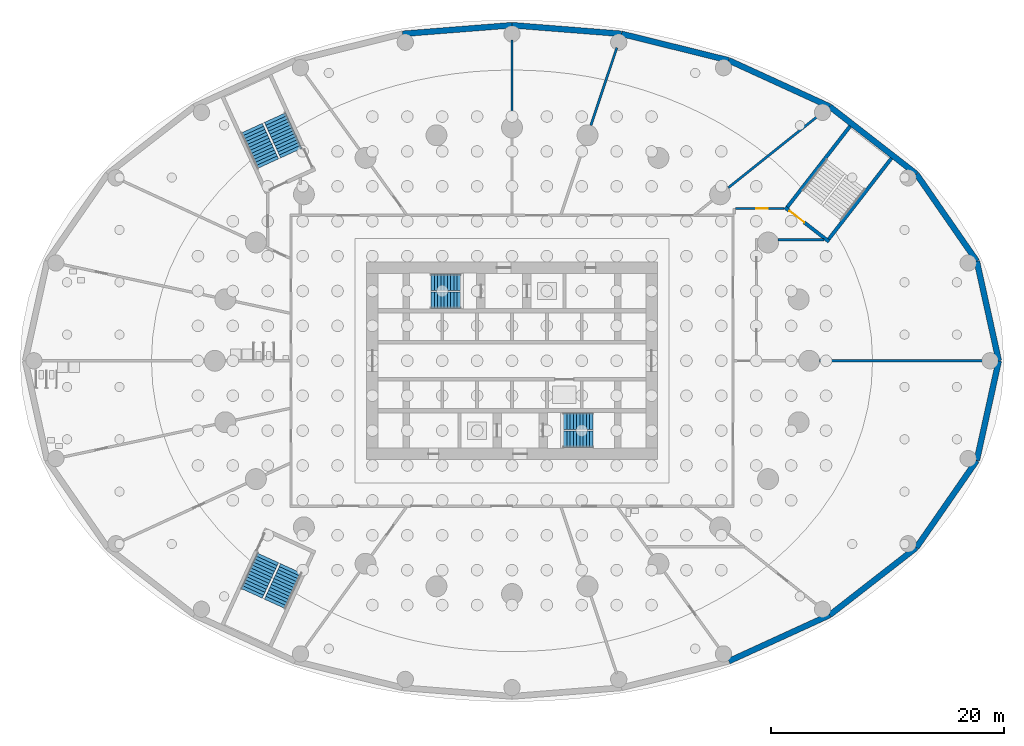
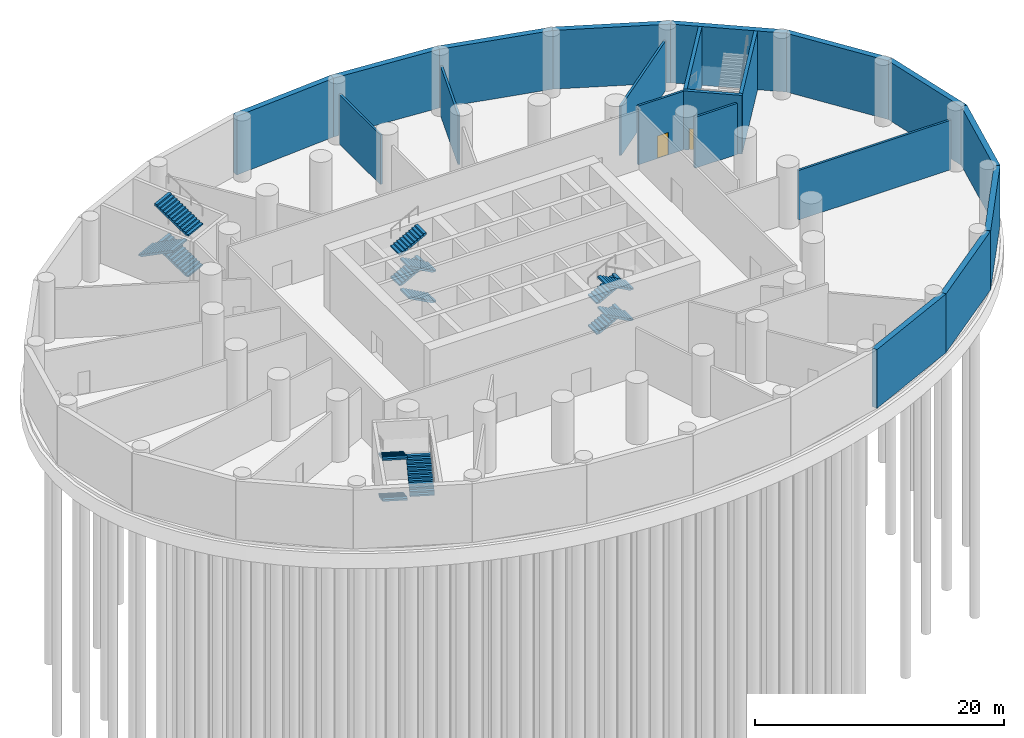
# One storey, part 7 of 12: 20 walls, 14 stair flights, 2 doors, 2 openings, 4 elements without a shape of their own.
"""IFC4 building model written with IfcOpenShell, lengths in metres."""

from ifc_helpers import new_model, si_unit, direction, frame, frame_2d, origin, place, context, subcontext, project, spatial, polyline, rectangle, outline, extrude, material, layer, layer_set, type_object, element, fill, aggregate, save


model = new_model("IFC4")

# Units and contexts
model_context = context("Model", 3, precision=1e-05, world=origin(), true_north=direction((0.0, 1.0)))
body_context = subcontext(model_context, "Body", "Model", "MODEL_VIEW")
ifc_project = project(units=[si_unit("LENGTHUNIT", "METRE"), si_unit("AREAUNIT", "SQUARE_METRE"), si_unit("VOLUMEUNIT", "CUBIC_METRE"), si_unit("PLANEANGLEUNIT", "RADIAN"), si_unit("MASSUNIT", "GRAM", prefix="KILO")], contexts=[model_context])

# Site, building, storey
site_placement = place(None, origin())
site = spatial("IfcSite", under=ifc_project, at=site_placement, CompositionType="ELEMENT")
building_placement = place(site_placement, origin())
building = spatial("IfcBuilding", under=site, at=building_placement, Name="Hankou Lantern Tower", CompositionType="ELEMENT")
storey_placement = place(building_placement, frame((0.0, 0.0, -6.0)))
storey = spatial("IfcBuildingStorey", under=building, at=storey_placement, Name="B1", CompositionType="ELEMENT", Elevation=-6.0)

# Walls
ifc_material_1 = material(Name="Concrete C50", Category="concrete")
ifc_layer_1 = layer(ifc_material_1, 0.300048828125)
ifc_layer_set_1 = layer_set([ifc_layer_1], Name="Concrete C50")
wall_type_1 = type_object("IfcWallType", Name="CW7 PODIUM STAIR WALL 300", PredefinedType="SHEAR", material=ifc_layer_set_1)
wall_1_placement = place(storey_placement, frame((27.22705078125, 10.45556640625, 0.0), z_axis=(0.0, 0.0, 1.0), x_axis=(0.612955943248, 0.790117087296, 0.0)))
element("IfcWall", 1, at=wall_1_placement, inside=storey, type_object=wall_type_1, Name="Basement stair BS1 wall", PredefinedType="SHEAR", context=body_context, shape_type="SweptSolid", body=[
    extrude(rectangle(XDim=8.81005859375, YDim=0.300048828125, at=frame_2d((4.405029296875, 0.0))), origin(), (0.0, 0.0, 1.0), 5.75),
])
wall_2_placement = place(storey_placement, frame((29.071533203125, 20.1748046875, 0.0), z_axis=(0.0, 0.0, 1.0), x_axis=(-0.612938642784, -0.790130508322, 0.0)))
element("IfcWall", 2, at=wall_2_placement, inside=storey, type_object=wall_type_1, Name="Basement stair BS1 wall", PredefinedType="SHEAR", context=body_context, shape_type="SweptSolid", body=[
    extrude(rectangle(XDim=8.809814453125, YDim=0.300048828125, at=frame_2d((4.40478515625, 0.0))), origin(), (0.0, 0.0, 1.0), 5.75),
])

# Wall, opening, door
wall_3_placement = place(storey_placement, frame((23.461181640625, 13.187255859375, 0.0), z_axis=(0.0, 0.0, 1.0), x_axis=(0.790115734311, -0.612957687279, 0.0)))
wall_3 = element("IfcWall", 3, at=wall_3_placement, inside=storey, type_object=wall_type_1, Name="Basement stair BS1 wall", PredefinedType="SHEAR", context=body_context, shape_type="SweptSolid", body=[
    extrude(rectangle(XDim=4.7998046875, YDim=0.300048828125, at=frame_2d((2.39990234375, 0.0))), origin(), (0.0, 0.0, 1.0), 5.75),
])
opening_1_placement = place(wall_3_placement, frame((0.5, 0.0, 0.0)))
opening_1 = element("IfcOpeningElement", 4, at=opening_1_placement, cuts=wall_3, Name="Opening D16", PredefinedType="OPENING", context=body_context, shape_type="SweptSolid", body=[
    extrude(rectangle(XDim=1.60009765625, YDim=2.10009765625, at=frame_2d((0.800048828125, 1.050048828125))), frame((0.0, 0.159912109375, 0.0), z_axis=(0.0, -1.0, 0.0), x_axis=(1.0, 0.0, 0.0)), (0.0, 0.0, 1.0), 0.320068359375),
])
ifc_material_2 = material(Name="Steel door leaf", Category="steel")
door_type_1 = type_object("IfcDoorType", Name="D16 PODIUM STAIR DOOR 1600X2100", OperationType="SINGLE_SWING_LEFT", PredefinedType="DOOR", material=ifc_material_2)
door_1_placement = place(opening_1_placement, origin())
door_1 = element("IfcDoor", 5, at=door_1_placement, inside=storey, type_object=door_type_1, Name="Basement stair BS1 door", OperationType="SINGLE_SWING_LEFT", OverallHeight=2.10009765625, OverallWidth=1.60009765625, PredefinedType="DOOR", context=body_context, shape_type="SweptSolid", body=[
    extrude(rectangle(XDim=1.60009765625, YDim=2.10009765625, at=frame_2d((0.800048828125, 1.050048828125))), frame((0.0, 0.02490234375, 0.0), z_axis=(0.0, -1.0, 0.0), x_axis=(1.0, 0.0, 0.0)), (0.0, 0.0, 1.0), 0.050048828125),
])
fill(opening_1, door_1)

# Walls
ifc_material_3 = material(Name="Masonry dense concrete block", Category="masonry")
ifc_layer_2 = layer(ifc_material_3, 0.199951171875)
ifc_layer_set_2 = layer_set([ifc_layer_2], Name="Masonry dense concrete block")
wall_type_2 = type_object("IfcWallType", Name="FW1 COMPARTMENT FIRE WALL 200", PredefinedType="PARTITIONING", material=ifc_layer_set_2)
wall_4_placement = place(storey_placement, frame((18.594482421875, 14.87548828125, 0.0), z_axis=(0.0, 0.0, 1.0), x_axis=(0.780868809443, 0.624695047554, 0.0)))
element("IfcWall", 6, at=wall_4_placement, inside=storey, type_object=wall_type_2, Name="Fire wall R04", PredefinedType="PARTITIONING", context=body_context, shape_type="SweptSolid", body=[
    extrude(rectangle(XDim=9.883056640625, YDim=0.199951171875, at=frame_2d((4.94140625, 0.0))), origin(), (0.0, 0.0, 1.0), 4.85009765625),
])
ifc_material_4 = material(Name="Masonry dense concrete block", Category="masonry")
ifc_layer_3 = layer(ifc_material_4, 0.199951171875)
ifc_layer_set_3 = layer_set([ifc_layer_3], Name="Masonry dense concrete block")
wall_type_3 = type_object("IfcWallType", Name="IW9 2 H FIRE PARTITION 200", PredefinedType="PARTITIONING", material=ifc_layer_set_3)
wall_5_placement = place(storey_placement, frame((26.449951171875, 0.0, 0.0), z_axis=(0.0, 0.0, 1.0), x_axis=(1.0, 0.0, 0.0)))
element("IfcWall", 7, at=wall_5_placement, inside=storey, type_object=wall_type_3, Name="Partition R01", PredefinedType="PARTITIONING", context=body_context, shape_type="SweptSolid", body=[
    extrude(rectangle(XDim=14.150146484375, YDim=0.199951171875, at=frame_2d((7.0751953125, 0.0))), origin(), (0.0, 0.0, 1.0), 4.85009765625),
])
wall_6_placement = place(storey_placement, frame((6.78076171875, 20.244873046875, 0.0), z_axis=(0.0, 0.0, 1.0), x_axis=(0.317580622989, 0.948231273425, 0.0)))
element("IfcWall", 8, at=wall_6_placement, inside=storey, type_object=wall_type_3, Name="Partition R06", PredefinedType="PARTITIONING", context=body_context, shape_type="SweptSolid", body=[
    extrude(rectangle(XDim=7.036376953125, YDim=0.199951171875, at=frame_2d((3.51806640625, 0.0))), origin(), (0.0, 0.0, 1.0), 4.85009765625),
])
wall_7_placement = place(storey_placement, frame((0.0, 20.949951171875, 0.0), z_axis=(0.0, 0.0, 1.0), x_axis=(0.0, 1.0, 0.0)))
element("IfcWall", 9, at=wall_7_placement, inside=storey, type_object=wall_type_3, Name="Partition R07", PredefinedType="PARTITIONING", context=body_context, shape_type="SweptSolid", body=[
    extrude(rectangle(XDim=6.650146484375, YDim=0.199951171875, at=frame_2d((3.3251953125, 0.0))), origin(), (0.0, 0.0, 1.0), 4.85009765625),
])
wall_8_placement = place(storey_placement, frame((22.88916015625, 10.39990234375, 0.0), z_axis=(0.0, 0.0, 1.0), x_axis=(1.0, 0.0, 0.0)))
element("IfcWall", 10, at=wall_8_placement, inside=storey, type_object=wall_type_3, Name="Access strip BS1 wall", PredefinedType="PARTITIONING", context=body_context, shape_type="SweptSolid", body=[
    extrude(rectangle(XDim=3.920166015625, YDim=0.199951171875, at=frame_2d((1.9599609375, 0.0))), origin(), (0.0, 0.0, 1.0), 5.0),
])

# Wall, opening, door
wall_9_placement = place(storey_placement, frame((23.3935546875, 13.10009765625, 0.0), z_axis=(0.0, 0.0, 1.0), x_axis=(-1.0, 0.0, 0.0)))
wall_9 = element("IfcWall", 11, at=wall_9_placement, inside=storey, type_object=wall_type_3, Name="Access strip BS1 wall", PredefinedType="PARTITIONING", context=body_context, shape_type="SweptSolid", body=[
    extrude(rectangle(XDim=4.193603515625, YDim=0.199951171875, at=frame_2d((2.0966796875, 0.0))), origin(), (0.0, 0.0, 1.0), 5.75),
])
opening_2_placement = place(wall_9_placement, frame((1.3935546875, 0.0, 0.0)))
opening_2 = element("IfcOpeningElement", 12, at=opening_2_placement, cuts=wall_9, Name="Opening D40", PredefinedType="OPENING", context=body_context, shape_type="SweptSolid", body=[
    extrude(rectangle(XDim=1.0, YDim=2.199951171875, at=frame_2d((0.5, 1.10009765625))), frame((0.0, 0.10986328125, 0.0), z_axis=(0.0, -1.0, 0.0), x_axis=(1.0, 0.0, 0.0)), (0.0, 0.0, 1.0), 0.219970703125),
])
ifc_material_5 = material(Name="Steel door leaf", Category="steel")
door_type_2 = type_object("IfcDoorType", Name="D40 CLASS A ROOM DOOR 1000X2200", OperationType="SINGLE_SWING_LEFT", PredefinedType="DOOR", material=ifc_material_5)
door_2_placement = place(opening_2_placement, origin())
door_2 = element("IfcDoor", 13, at=door_2_placement, inside=storey, type_object=door_type_2, Name="Chiller plant room north cell door", OperationType="SINGLE_SWING_RIGHT", OverallHeight=2.199951171875, OverallWidth=1.0, PredefinedType="DOOR", context=body_context, shape_type="SweptSolid", body=[
    extrude(rectangle(XDim=1.0, YDim=2.199951171875, at=frame_2d((0.5, 1.10009765625))), frame((0.0, 0.02490234375, 0.0), z_axis=(0.0, -1.0, 0.0), x_axis=(1.0, 0.0, 0.0)), (0.0, 0.0, 1.0), 0.050048828125),
])
fill(opening_2, door_2)

# Walls
ifc_material_6 = material(Name="Concrete C40", Category="concrete")
ifc_layer_4 = layer(ifc_material_6, 0.5)
ifc_layer_set_4 = layer_set([ifc_layer_4], Name="Concrete C40")
wall_type_4 = type_object("IfcWallType", Name="RW1 BASEMENT RETAINING WALL 500", PredefinedType="SOLIDWALL", material=ifc_layer_set_4)
wall_10_placement = place(storey_placement, frame((41.85009765625, 0.0, 0.0), z_axis=(0.0, 0.0, 1.0), x_axis=(-0.215170782675, 0.976576435454, 0.0)))
element("IfcWall", 14, at=wall_10_placement, inside=storey, type_object=wall_type_4, Name="Basement retaining wall R01", PredefinedType="SOLIDWALL", context=body_context, shape_type="SweptSolid", body=[
    extrude(rectangle(XDim=8.77197265625, YDim=0.5, at=frame_2d((4.385986328125, 0.0))), origin(), (0.0, 0.0, 1.0), 5.75),
])
wall_11_placement = place(storey_placement, frame((39.962646484375, 8.56640625, 0.0), z_axis=(0.0, 0.0, 1.0), x_axis=(-0.569815549616, 0.821772620264, 0.0)))
element("IfcWall", 15, at=wall_11_placement, inside=storey, type_object=wall_type_4, Name="Basement retaining wall R02", PredefinedType="SOLIDWALL", context=body_context, shape_type="SweptSolid", body=[
    extrude(rectangle(XDim=9.1171875, YDim=0.5, at=frame_2d((4.55859375, 0.0))), origin(), (0.0, 0.0, 1.0), 5.75),
])
wall_12_placement = place(storey_placement, frame((34.767578125, 16.05859375, 0.0), z_axis=(0.0, 0.0, 1.0), x_axis=(-0.789189230142, 0.614150111152, 0.0)))
element("IfcWall", 16, at=wall_12_placement, inside=storey, type_object=wall_type_4, Name="Basement retaining wall R03", PredefinedType="SOLIDWALL", context=body_context, shape_type="SweptSolid", body=[
    extrude(rectangle(XDim=9.4384765625, YDim=0.5, at=frame_2d((4.71923828125, 0.0))), origin(), (0.0, 0.0, 1.0), 5.75),
])
wall_13_placement = place(storey_placement, frame((27.31884765625, 21.855224609375, 0.0), z_axis=(0.0, 0.0, 1.0), x_axis=(-0.909171365198, 0.416422176047, 0.0)))
element("IfcWall", 17, at=wall_13_placement, inside=storey, type_object=wall_type_4, Name="Basement retaining wall R04", PredefinedType="SOLIDWALL", context=body_context, shape_type="SweptSolid", body=[
    extrude(rectangle(XDim=9.544677734375, YDim=0.5, at=frame_2d((4.7724609375, 0.0))), origin(), (0.0, 0.0, 1.0), 5.75),
])
wall_14_placement = place(storey_placement, frame((18.64111328125, 25.829833984375, 0.0), z_axis=(0.0, 0.0, 1.0), x_axis=(-0.97078133687, 0.239965822533, 0.0)))
element("IfcWall", 18, at=wall_14_placement, inside=storey, type_object=wall_type_4, Name="Basement retaining wall R05", PredefinedType="SOLIDWALL", context=body_context, shape_type="SweptSolid", body=[
    extrude(rectangle(XDim=9.50341796875, YDim=0.5, at=frame_2d((4.751708984375, 0.0))), origin(), (0.0, 0.0, 1.0), 5.75),
])
for number, where, z_axis, x_axis, name in (
    (19, (9.415283203125, 28.1103515625, 0.0), (0.0, 0.0, 1.0), (-0.996927700353, 0.078327263894, 0.0), "Basement retaining wall R06"),
    (20, (0.0, 28.85009765625, 0.0), (0.0, 0.0, 1.0), (-0.996927700353, -0.078327263894, 0.0), "Basement retaining wall R07"),
):
    element("IfcWall", number, at=place(storey_placement, frame(where, z_axis=z_axis, x_axis=x_axis)), inside=storey, type_object=wall_type_4, Name=name, PredefinedType="SOLIDWALL", context=body_context, shape_type="SweptSolid", body=[
        extrude(rectangle(XDim=9.4443359375, YDim=0.5, at=frame_2d((4.72216796875, 0.0))), origin(), (0.0, 0.0, 1.0), 5.75),
    ])
wall_15_placement = place(storey_placement, frame((18.64111328125, -25.829833984375, 0.0), z_axis=(0.0, 0.0, 1.0), x_axis=(0.909171365198, 0.416422176047, 0.0)))
element("IfcWall", 21, at=wall_15_placement, inside=storey, type_object=wall_type_4, Name="Basement retaining wall R21", PredefinedType="SOLIDWALL", context=body_context, shape_type="SweptSolid", body=[
    extrude(rectangle(XDim=9.544677734375, YDim=0.5, at=frame_2d((4.7724609375, 0.0))), origin(), (0.0, 0.0, 1.0), 5.75),
])
wall_16_placement = place(storey_placement, frame((27.31884765625, -21.855224609375, 0.0), z_axis=(0.0, 0.0, 1.0), x_axis=(0.789189230142, 0.614150111152, 0.0)))
element("IfcWall", 22, at=wall_16_placement, inside=storey, type_object=wall_type_4, Name="Basement retaining wall R22", PredefinedType="SOLIDWALL", context=body_context, shape_type="SweptSolid", body=[
    extrude(rectangle(XDim=9.4384765625, YDim=0.5, at=frame_2d((4.71923828125, 0.0))), origin(), (0.0, 0.0, 1.0), 5.75),
])
wall_17_placement = place(storey_placement, frame((34.767578125, -16.05859375, 0.0), z_axis=(0.0, 0.0, 1.0), x_axis=(0.569815549616, 0.821772620264, 0.0)))
element("IfcWall", 23, at=wall_17_placement, inside=storey, type_object=wall_type_4, Name="Basement retaining wall R23", PredefinedType="SOLIDWALL", context=body_context, shape_type="SweptSolid", body=[
    extrude(rectangle(XDim=9.1171875, YDim=0.5, at=frame_2d((4.55859375, 0.0))), origin(), (0.0, 0.0, 1.0), 5.75),
])
wall_18_placement = place(storey_placement, frame((39.962646484375, -8.56640625, 0.0), z_axis=(0.0, 0.0, 1.0), x_axis=(0.215170782675, 0.976576435454, 0.0)))
element("IfcWall", 24, at=wall_18_placement, inside=storey, type_object=wall_type_4, Name="Basement retaining wall R24", PredefinedType="SOLIDWALL", context=body_context, shape_type="SweptSolid", body=[
    extrude(rectangle(XDim=8.77197265625, YDim=0.5, at=frame_2d((4.385986328125, 0.0))), origin(), (0.0, 0.0, 1.0), 5.75),
])

# Stair, stair flights
ifc_material_7 = material(Name="Concrete C40", Category="concrete")
stair_type_1 = type_object("IfcStairType", Name="ST60 CORE STAIR 6000 RISE", PredefinedType="HALF_TURN_STAIR", material=ifc_material_7)
stair_1_placement = place(storey_placement, origin())
stair_1 = element("IfcStair", 25, at=stair_1_placement, inside=storey, type_object=stair_type_1, Name="Stair STA B1", PredefinedType="HALF_TURN_STAIR")
ifc_material_8 = material(Name="Concrete C40", Category="concrete")
stair_flight_type_1 = type_object("IfcStairFlightType", Name="CF10 CORE STAIR FLIGHT 1400 X 10 RISERS", PredefinedType="STRAIGHT", material=ifc_material_8)
stair_flight_1_placement = place(storey_placement, frame((-4.429931640625, 5.199951171875, 0.0), z_axis=(0.0, 0.0, 1.0), x_axis=(-1.0, 0.0, 0.0)))
stair_flight_1 = element("IfcStairFlight", 26, at=stair_flight_1_placement, type_object=stair_flight_type_1, Name="STA flight 1", NumberOfRisers=10, NumberOfTreads=9, PredefinedType="STRAIGHT", RiserHeight=0.15, TreadLength=0.28, context=body_context, shape_type="SweptSolid", body=[
    extrude(outline(polyline([(0.0, 0.0), (0.0, 0.14990234375), (0.280029296875, 0.14990234375), (0.280029296875, 0.300048828125), (0.56005859375, 0.300048828125), (0.56005859375, 0.449951171875), (0.840087890625, 0.449951171875), (0.840087890625, 0.60009765625), (1.1201171875, 0.60009765625), (1.1201171875, 0.75), (1.39990234375, 0.75), (1.39990234375, 0.89990234375), (1.679931640625, 0.89990234375), (1.679931640625, 1.050048828125), (1.9599609375, 1.050048828125), (1.9599609375, 1.199951171875), (2.239990234375, 1.199951171875), (2.239990234375, 1.35009765625), (2.52001953125, 1.35009765625), (2.52001953125, 1.5), (2.52001953125, 1.179931640625), (0.3173828125, 0.0), (0.0, 0.0)])), frame((0.0, 0.699951171875, 0.0), z_axis=(0.0, -1.0, 0.0), x_axis=(1.0, 0.0, 0.0)), (0.0, 0.0, 1.0), 1.39990234375),
])
stair_flight_2_placement = place(storey_placement, frame((-6.949951171875, 6.75, 1.5), z_axis=(0.0, 0.0, 1.0), x_axis=(1.0, 0.0, 0.0)))
stair_flight_2 = element("IfcStairFlight", 27, at=stair_flight_2_placement, type_object=stair_flight_type_1, Name="STA flight 2", NumberOfRisers=10, NumberOfTreads=9, PredefinedType="STRAIGHT", RiserHeight=0.15, TreadLength=0.28, context=body_context, shape_type="SweptSolid", body=[
    extrude(outline(polyline([(0.0, 0.0), (0.0, 0.14990234375), (0.280029296875, 0.14990234375), (0.280029296875, 0.300048828125), (0.56005859375, 0.300048828125), (0.56005859375, 0.449951171875), (0.840087890625, 0.449951171875), (0.840087890625, 0.60009765625), (1.1201171875, 0.60009765625), (1.1201171875, 0.75), (1.39990234375, 0.75), (1.39990234375, 0.89990234375), (1.679931640625, 0.89990234375), (1.679931640625, 1.050048828125), (1.9599609375, 1.050048828125), (1.9599609375, 1.199951171875), (2.239990234375, 1.199951171875), (2.239990234375, 1.35009765625), (2.52001953125, 1.35009765625), (2.52001953125, 1.5), (2.52001953125, 1.179931640625), (0.3173828125, 0.0), (0.0, 0.0)])), frame((0.0, 0.699951171875, 0.0), z_axis=(0.0, -1.0, 0.0), x_axis=(1.0, 0.0, 0.0)), (0.0, 0.0, 1.0), 1.39990234375),
])
stair_flight_3_placement = place(storey_placement, frame((-4.429931640625, 5.199951171875, 3.0), z_axis=(0.0, 0.0, 1.0), x_axis=(-1.0, 0.0, 0.0)))
stair_flight_3 = element("IfcStairFlight", 28, at=stair_flight_3_placement, type_object=stair_flight_type_1, Name="STA flight 3", NumberOfRisers=10, NumberOfTreads=9, PredefinedType="STRAIGHT", RiserHeight=0.15, TreadLength=0.28, context=body_context, shape_type="SweptSolid", body=[
    extrude(outline(polyline([(0.0, 0.0), (0.0, 0.14990234375), (0.280029296875, 0.14990234375), (0.280029296875, 0.300048828125), (0.56005859375, 0.300048828125), (0.56005859375, 0.449951171875), (0.840087890625, 0.449951171875), (0.840087890625, 0.60009765625), (1.1201171875, 0.60009765625), (1.1201171875, 0.75), (1.39990234375, 0.75), (1.39990234375, 0.89990234375), (1.679931640625, 0.89990234375), (1.679931640625, 1.050048828125), (1.9599609375, 1.050048828125), (1.9599609375, 1.199951171875), (2.239990234375, 1.199951171875), (2.239990234375, 1.35009765625), (2.52001953125, 1.35009765625), (2.52001953125, 1.5), (2.52001953125, 1.179931640625), (0.3173828125, 0.0), (0.0, 0.0)])), frame((0.0, 0.699951171875, 0.0), z_axis=(0.0, -1.0, 0.0), x_axis=(1.0, 0.0, 0.0)), (0.0, 0.0, 1.0), 1.39990234375),
])
stair_flight_4_placement = place(storey_placement, frame((-6.949951171875, 6.75, 4.5), z_axis=(0.0, 0.0, 1.0), x_axis=(1.0, 0.0, 0.0)))
stair_flight_4 = element("IfcStairFlight", 29, at=stair_flight_4_placement, type_object=stair_flight_type_1, Name="STA flight 4", NumberOfRisers=10, NumberOfTreads=9, PredefinedType="STRAIGHT", RiserHeight=0.15, TreadLength=0.28, context=body_context, shape_type="SweptSolid", body=[
    extrude(outline(polyline([(0.0, 0.0), (0.0, 0.14990234375), (0.280029296875, 0.14990234375), (0.280029296875, 0.300048828125), (0.56005859375, 0.300048828125), (0.56005859375, 0.449951171875), (0.840087890625, 0.449951171875), (0.840087890625, 0.60009765625), (1.1201171875, 0.60009765625), (1.1201171875, 0.75), (1.39990234375, 0.75), (1.39990234375, 0.89990234375), (1.679931640625, 0.89990234375), (1.679931640625, 1.050048828125), (1.9599609375, 1.050048828125), (1.9599609375, 1.199951171875), (2.239990234375, 1.199951171875), (2.239990234375, 1.35009765625), (2.52001953125, 1.35009765625), (2.52001953125, 1.5), (2.52001953125, 1.179931640625), (0.3173828125, 0.0), (0.0, 0.0)])), frame((0.0, 0.699951171875, 0.0), z_axis=(0.0, -1.0, 0.0), x_axis=(1.0, 0.0, 0.0)), (0.0, 0.0, 1.0), 1.39990234375),
])
aggregate(stair_1, [stair_flight_1, stair_flight_2, stair_flight_3, stair_flight_4])

stair_2_placement = place(storey_placement, origin())
stair_2 = element("IfcStair", 30, at=stair_2_placement, inside=storey, type_object=stair_type_1, Name="Stair STB B1", PredefinedType="HALF_TURN_STAIR")
stair_flight_5_placement = place(storey_placement, frame((4.429931640625, -5.199951171875, 0.0), z_axis=(0.0, 0.0, 1.0), x_axis=(1.0, 0.0, 0.0)))
stair_flight_5 = element("IfcStairFlight", 31, at=stair_flight_5_placement, type_object=stair_flight_type_1, Name="STB flight 1", NumberOfRisers=10, NumberOfTreads=9, PredefinedType="STRAIGHT", RiserHeight=0.15, TreadLength=0.28, context=body_context, shape_type="SweptSolid", body=[
    extrude(outline(polyline([(0.0, 0.0), (0.0, 0.14990234375), (0.280029296875, 0.14990234375), (0.280029296875, 0.300048828125), (0.56005859375, 0.300048828125), (0.56005859375, 0.449951171875), (0.840087890625, 0.449951171875), (0.840087890625, 0.60009765625), (1.1201171875, 0.60009765625), (1.1201171875, 0.75), (1.39990234375, 0.75), (1.39990234375, 0.89990234375), (1.679931640625, 0.89990234375), (1.679931640625, 1.050048828125), (1.9599609375, 1.050048828125), (1.9599609375, 1.199951171875), (2.239990234375, 1.199951171875), (2.239990234375, 1.35009765625), (2.52001953125, 1.35009765625), (2.52001953125, 1.5), (2.52001953125, 1.179931640625), (0.3173828125, 0.0), (0.0, 0.0)])), frame((0.0, 0.699951171875, 0.0), z_axis=(0.0, -1.0, 0.0), x_axis=(1.0, 0.0, 0.0)), (0.0, 0.0, 1.0), 1.39990234375),
])
stair_flight_6_placement = place(storey_placement, frame((6.949951171875, -6.75, 1.5), z_axis=(0.0, 0.0, 1.0), x_axis=(-1.0, 0.0, 0.0)))
stair_flight_6 = element("IfcStairFlight", 32, at=stair_flight_6_placement, type_object=stair_flight_type_1, Name="STB flight 2", NumberOfRisers=10, NumberOfTreads=9, PredefinedType="STRAIGHT", RiserHeight=0.15, TreadLength=0.28, context=body_context, shape_type="SweptSolid", body=[
    extrude(outline(polyline([(0.0, 0.0), (0.0, 0.14990234375), (0.280029296875, 0.14990234375), (0.280029296875, 0.300048828125), (0.56005859375, 0.300048828125), (0.56005859375, 0.449951171875), (0.840087890625, 0.449951171875), (0.840087890625, 0.60009765625), (1.1201171875, 0.60009765625), (1.1201171875, 0.75), (1.39990234375, 0.75), (1.39990234375, 0.89990234375), (1.679931640625, 0.89990234375), (1.679931640625, 1.050048828125), (1.9599609375, 1.050048828125), (1.9599609375, 1.199951171875), (2.239990234375, 1.199951171875), (2.239990234375, 1.35009765625), (2.52001953125, 1.35009765625), (2.52001953125, 1.5), (2.52001953125, 1.179931640625), (0.3173828125, 0.0), (0.0, 0.0)])), frame((0.0, 0.699951171875, 0.0), z_axis=(0.0, -1.0, 0.0), x_axis=(1.0, 0.0, 0.0)), (0.0, 0.0, 1.0), 1.39990234375),
])
stair_flight_7_placement = place(storey_placement, frame((4.429931640625, -5.199951171875, 3.0), z_axis=(0.0, 0.0, 1.0), x_axis=(1.0, 0.0, 0.0)))
stair_flight_7 = element("IfcStairFlight", 33, at=stair_flight_7_placement, type_object=stair_flight_type_1, Name="STB flight 3", NumberOfRisers=10, NumberOfTreads=9, PredefinedType="STRAIGHT", RiserHeight=0.15, TreadLength=0.28, context=body_context, shape_type="SweptSolid", body=[
    extrude(outline(polyline([(0.0, 0.0), (0.0, 0.14990234375), (0.280029296875, 0.14990234375), (0.280029296875, 0.300048828125), (0.56005859375, 0.300048828125), (0.56005859375, 0.449951171875), (0.840087890625, 0.449951171875), (0.840087890625, 0.60009765625), (1.1201171875, 0.60009765625), (1.1201171875, 0.75), (1.39990234375, 0.75), (1.39990234375, 0.89990234375), (1.679931640625, 0.89990234375), (1.679931640625, 1.050048828125), (1.9599609375, 1.050048828125), (1.9599609375, 1.199951171875), (2.239990234375, 1.199951171875), (2.239990234375, 1.35009765625), (2.52001953125, 1.35009765625), (2.52001953125, 1.5), (2.52001953125, 1.179931640625), (0.3173828125, 0.0), (0.0, 0.0)])), frame((0.0, 0.699951171875, 0.0), z_axis=(0.0, -1.0, 0.0), x_axis=(1.0, 0.0, 0.0)), (0.0, 0.0, 1.0), 1.39990234375),
])
stair_flight_8_placement = place(storey_placement, frame((6.949951171875, -6.75, 4.5), z_axis=(0.0, 0.0, 1.0), x_axis=(-1.0, 0.0, 0.0)))
stair_flight_8 = element("IfcStairFlight", 34, at=stair_flight_8_placement, type_object=stair_flight_type_1, Name="STB flight 4", NumberOfRisers=10, NumberOfTreads=9, PredefinedType="STRAIGHT", RiserHeight=0.15, TreadLength=0.28, context=body_context, shape_type="SweptSolid", body=[
    extrude(outline(polyline([(0.0, 0.0), (0.0, 0.14990234375), (0.280029296875, 0.14990234375), (0.280029296875, 0.300048828125), (0.56005859375, 0.300048828125), (0.56005859375, 0.449951171875), (0.840087890625, 0.449951171875), (0.840087890625, 0.60009765625), (1.1201171875, 0.60009765625), (1.1201171875, 0.75), (1.39990234375, 0.75), (1.39990234375, 0.89990234375), (1.679931640625, 0.89990234375), (1.679931640625, 1.050048828125), (1.9599609375, 1.050048828125), (1.9599609375, 1.199951171875), (2.239990234375, 1.199951171875), (2.239990234375, 1.35009765625), (2.52001953125, 1.35009765625), (2.52001953125, 1.5), (2.52001953125, 1.179931640625), (0.3173828125, 0.0), (0.0, 0.0)])), frame((0.0, 0.699951171875, 0.0), z_axis=(0.0, -1.0, 0.0), x_axis=(1.0, 0.0, 0.0)), (0.0, 0.0, 1.0), 1.39990234375),
])
aggregate(stair_2, [stair_flight_5, stair_flight_6, stair_flight_7, stair_flight_8])

ifc_material_9 = material(Name="Concrete C40", Category="concrete")
stair_type_2 = type_object("IfcStairType", Name="PS60 PODIUM STAIR 6000 RISE", PredefinedType="HALF_TURN_STAIR", material=ifc_material_9)
stair_3_placement = place(storey_placement, origin())
stair_3 = element("IfcStair", 35, at=stair_3_placement, inside=storey, type_object=stair_type_2, Name="Stair BS2 B1", PredefinedType="HALF_TURN_STAIR")
ifc_material_10 = material(Name="Concrete C40", Category="concrete")
stair_flight_type_2 = type_object("IfcStairFlightType", Name="PF13 PODIUM STAIR FLIGHT 2000 X 13 RISERS", PredefinedType="STRAIGHT", material=ifc_material_10)
stair_flight_9_placement = place(storey_placement, frame((-18.981689453125, 17.855712890625, 0.0), z_axis=(0.0, 0.0, 1.0), x_axis=(-0.41533224224, 0.909669790944, 0.0)))
stair_flight_9 = element("IfcStairFlight", 36, at=stair_flight_9_placement, type_object=stair_flight_type_2, Name="BS2 flight 1", NumberOfRisers=13, NumberOfTreads=12, PredefinedType="STRAIGHT", RiserHeight=0.153846154, TreadLength=0.28, context=body_context, shape_type="SweptSolid", body=[
    extrude(outline(polyline([(0.0, 0.0), (0.0, 0.15380859375), (0.280029296875, 0.15380859375), (0.280029296875, 0.3076171875), (0.56005859375, 0.3076171875), (0.56005859375, 0.46142578125), (0.840087890625, 0.46142578125), (0.840087890625, 0.615478515625), (1.1201171875, 0.615478515625), (1.1201171875, 0.769287109375), (1.39990234375, 0.769287109375), (1.39990234375, 0.923095703125), (1.679931640625, 0.923095703125), (1.679931640625, 1.076904296875), (1.9599609375, 1.076904296875), (1.9599609375, 1.230712890625), (2.239990234375, 1.230712890625), (2.239990234375, 1.384521484375), (2.52001953125, 1.384521484375), (2.52001953125, 1.53857421875), (2.800048828125, 1.53857421875), (2.800048828125, 1.6923828125), (3.080078125, 1.6923828125), (3.080078125, 1.84619140625), (3.360107421875, 1.84619140625), (3.360107421875, 2.0), (3.360107421875, 1.675048828125), (0.311279296875, 0.0), (0.0, 0.0)])), frame((0.0, 1.0, 0.0), z_axis=(0.0, -1.0, 0.0), x_axis=(1.0, 0.0, 0.0)), (0.0, 0.0, 1.0), 2.0),
])
stair_flight_10_placement = place(storey_placement, frame((-22.37841796875, 19.99853515625, 2.0), z_axis=(0.0, 0.0, 1.0), x_axis=(0.41533224224, -0.909669790944, 0.0)))
stair_flight_10 = element("IfcStairFlight", 37, at=stair_flight_10_placement, type_object=stair_flight_type_2, Name="BS2 flight 2", NumberOfRisers=13, NumberOfTreads=12, PredefinedType="STRAIGHT", RiserHeight=0.153846154, TreadLength=0.28, context=body_context, shape_type="SweptSolid", body=[
    extrude(outline(polyline([(0.0, 0.0), (0.0, 0.15380859375), (0.280029296875, 0.15380859375), (0.280029296875, 0.3076171875), (0.56005859375, 0.3076171875), (0.56005859375, 0.46142578125), (0.840087890625, 0.46142578125), (0.840087890625, 0.615478515625), (1.1201171875, 0.615478515625), (1.1201171875, 0.769287109375), (1.39990234375, 0.769287109375), (1.39990234375, 0.923095703125), (1.679931640625, 0.923095703125), (1.679931640625, 1.076904296875), (1.9599609375, 1.076904296875), (1.9599609375, 1.230712890625), (2.239990234375, 1.230712890625), (2.239990234375, 1.384521484375), (2.52001953125, 1.384521484375), (2.52001953125, 1.53857421875), (2.800048828125, 1.53857421875), (2.800048828125, 1.6923828125), (3.080078125, 1.6923828125), (3.080078125, 1.84619140625), (3.360107421875, 1.84619140625), (3.360107421875, 2.0), (3.360107421875, 1.675048828125), (0.311279296875, 0.0), (0.0, 0.0)])), frame((0.0, 1.0, 0.0), z_axis=(0.0, -1.0, 0.0), x_axis=(1.0, 0.0, 0.0)), (0.0, 0.0, 1.0), 2.0),
])
stair_flight_11_placement = place(storey_placement, frame((-18.981689453125, 17.855712890625, 4.0), z_axis=(0.0, 0.0, 1.0), x_axis=(-0.41533224224, 0.909669790944, 0.0)))
stair_flight_11 = element("IfcStairFlight", 38, at=stair_flight_11_placement, type_object=stair_flight_type_2, Name="BS2 flight 3", NumberOfRisers=13, NumberOfTreads=12, PredefinedType="STRAIGHT", RiserHeight=0.153846154, TreadLength=0.28, context=body_context, shape_type="SweptSolid", body=[
    extrude(outline(polyline([(0.0, 0.0), (0.0, 0.15380859375), (0.280029296875, 0.15380859375), (0.280029296875, 0.3076171875), (0.56005859375, 0.3076171875), (0.56005859375, 0.46142578125), (0.840087890625, 0.46142578125), (0.840087890625, 0.615478515625), (1.1201171875, 0.615478515625), (1.1201171875, 0.769287109375), (1.39990234375, 0.769287109375), (1.39990234375, 0.923095703125), (1.679931640625, 0.923095703125), (1.679931640625, 1.076904296875), (1.9599609375, 1.076904296875), (1.9599609375, 1.230712890625), (2.239990234375, 1.230712890625), (2.239990234375, 1.384521484375), (2.52001953125, 1.384521484375), (2.52001953125, 1.53857421875), (2.800048828125, 1.53857421875), (2.800048828125, 1.6923828125), (3.080078125, 1.6923828125), (3.080078125, 1.84619140625), (3.360107421875, 1.84619140625), (3.360107421875, 2.0), (3.360107421875, 1.675048828125), (0.311279296875, 0.0), (0.0, 0.0)])), frame((0.0, 1.0, 0.0), z_axis=(0.0, -1.0, 0.0), x_axis=(1.0, 0.0, 0.0)), (0.0, 0.0, 1.0), 2.0),
])
aggregate(stair_3, [stair_flight_9, stair_flight_10, stair_flight_11])

stair_4_placement = place(storey_placement, origin())
stair_4 = element("IfcStair", 39, at=stair_4_placement, inside=storey, type_object=stair_type_2, Name="Stair BS3 B1", PredefinedType="HALF_TURN_STAIR")
stair_flight_12_placement = place(storey_placement, frame((-20.98291015625, -16.942138671875, 0.0), z_axis=(0.0, 0.0, 1.0), x_axis=(-0.41533224224, -0.909669790944, 0.0)))
stair_flight_12 = element("IfcStairFlight", 40, at=stair_flight_12_placement, type_object=stair_flight_type_2, Name="BS3 flight 1", NumberOfRisers=13, NumberOfTreads=12, PredefinedType="STRAIGHT", RiserHeight=0.153846154, TreadLength=0.28, context=body_context, shape_type="SweptSolid", body=[
    extrude(outline(polyline([(0.0, 0.0), (0.0, 0.15380859375), (0.280029296875, 0.15380859375), (0.280029296875, 0.3076171875), (0.56005859375, 0.3076171875), (0.56005859375, 0.46142578125), (0.840087890625, 0.46142578125), (0.840087890625, 0.615478515625), (1.1201171875, 0.615478515625), (1.1201171875, 0.769287109375), (1.39990234375, 0.769287109375), (1.39990234375, 0.923095703125), (1.679931640625, 0.923095703125), (1.679931640625, 1.076904296875), (1.9599609375, 1.076904296875), (1.9599609375, 1.230712890625), (2.239990234375, 1.230712890625), (2.239990234375, 1.384521484375), (2.52001953125, 1.384521484375), (2.52001953125, 1.53857421875), (2.800048828125, 1.53857421875), (2.800048828125, 1.6923828125), (3.080078125, 1.6923828125), (3.080078125, 1.84619140625), (3.360107421875, 1.84619140625), (3.360107421875, 2.0), (3.360107421875, 1.675048828125), (0.311279296875, 0.0), (0.0, 0.0)])), frame((0.0, 1.0, 0.0), z_axis=(0.0, -1.0, 0.0), x_axis=(1.0, 0.0, 0.0)), (0.0, 0.0, 1.0), 2.0),
])
stair_flight_13_placement = place(storey_placement, frame((-20.377197265625, -20.912353515625, 2.0), z_axis=(0.0, 0.0, 1.0), x_axis=(0.41533224224, 0.909669790944, 0.0)))
stair_flight_13 = element("IfcStairFlight", 41, at=stair_flight_13_placement, type_object=stair_flight_type_2, Name="BS3 flight 2", NumberOfRisers=13, NumberOfTreads=12, PredefinedType="STRAIGHT", RiserHeight=0.153846154, TreadLength=0.28, context=body_context, shape_type="SweptSolid", body=[
    extrude(outline(polyline([(0.0, 0.0), (0.0, 0.15380859375), (0.280029296875, 0.15380859375), (0.280029296875, 0.3076171875), (0.56005859375, 0.3076171875), (0.56005859375, 0.46142578125), (0.840087890625, 0.46142578125), (0.840087890625, 0.615478515625), (1.1201171875, 0.615478515625), (1.1201171875, 0.769287109375), (1.39990234375, 0.769287109375), (1.39990234375, 0.923095703125), (1.679931640625, 0.923095703125), (1.679931640625, 1.076904296875), (1.9599609375, 1.076904296875), (1.9599609375, 1.230712890625), (2.239990234375, 1.230712890625), (2.239990234375, 1.384521484375), (2.52001953125, 1.384521484375), (2.52001953125, 1.53857421875), (2.800048828125, 1.53857421875), (2.800048828125, 1.6923828125), (3.080078125, 1.6923828125), (3.080078125, 1.84619140625), (3.360107421875, 1.84619140625), (3.360107421875, 2.0), (3.360107421875, 1.675048828125), (0.311279296875, 0.0), (0.0, 0.0)])), frame((0.0, 1.0, 0.0), z_axis=(0.0, -1.0, 0.0), x_axis=(1.0, 0.0, 0.0)), (0.0, 0.0, 1.0), 2.0),
])
stair_flight_14_placement = place(storey_placement, frame((-20.98291015625, -16.942138671875, 4.0), z_axis=(0.0, 0.0, 1.0), x_axis=(-0.41533224224, -0.909669790944, 0.0)))
stair_flight_14 = element("IfcStairFlight", 42, at=stair_flight_14_placement, type_object=stair_flight_type_2, Name="BS3 flight 3", NumberOfRisers=13, NumberOfTreads=12, PredefinedType="STRAIGHT", RiserHeight=0.153846154, TreadLength=0.28, context=body_context, shape_type="SweptSolid", body=[
    extrude(outline(polyline([(0.0, 0.0), (0.0, 0.15380859375), (0.280029296875, 0.15380859375), (0.280029296875, 0.3076171875), (0.56005859375, 0.3076171875), (0.56005859375, 0.46142578125), (0.840087890625, 0.46142578125), (0.840087890625, 0.615478515625), (1.1201171875, 0.615478515625), (1.1201171875, 0.769287109375), (1.39990234375, 0.769287109375), (1.39990234375, 0.923095703125), (1.679931640625, 0.923095703125), (1.679931640625, 1.076904296875), (1.9599609375, 1.076904296875), (1.9599609375, 1.230712890625), (2.239990234375, 1.230712890625), (2.239990234375, 1.384521484375), (2.52001953125, 1.384521484375), (2.52001953125, 1.53857421875), (2.800048828125, 1.53857421875), (2.800048828125, 1.6923828125), (3.080078125, 1.6923828125), (3.080078125, 1.84619140625), (3.360107421875, 1.84619140625), (3.360107421875, 2.0), (3.360107421875, 1.675048828125), (0.311279296875, 0.0), (0.0, 0.0)])), frame((0.0, 1.0, 0.0), z_axis=(0.0, -1.0, 0.0), x_axis=(1.0, 0.0, 0.0)), (0.0, 0.0, 1.0), 2.0),
])
aggregate(stair_4, [stair_flight_12, stair_flight_13, stair_flight_14])

save(model, "model.ifc")
